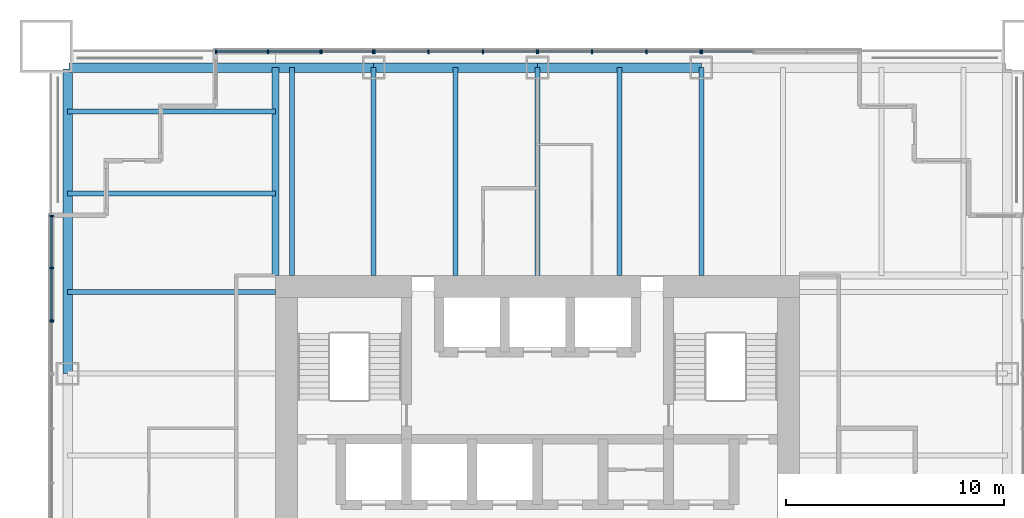
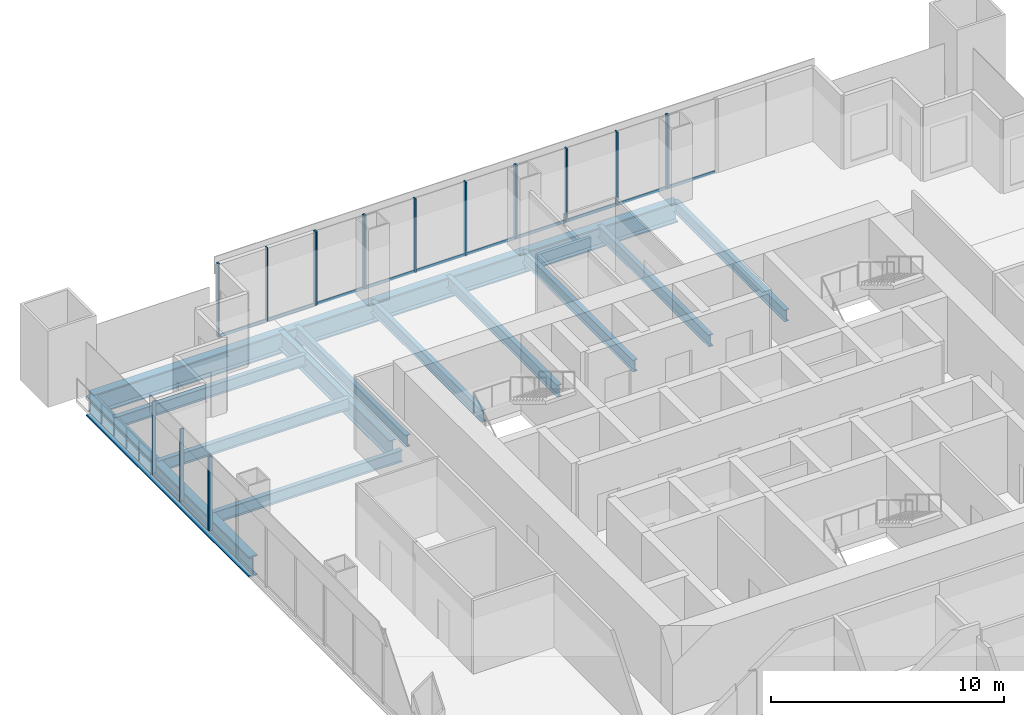
# One storey, part 5 of 13: 30 members, 14 beams, 7 elements without a shape of their own.
"""IFC4 building model written with IfcOpenShell, lengths in metres."""

from ifc_helpers import new_model, si_unit, direction, frame, origin, origin_2d, place, context, subcontext, project, spatial, rectangle, i_section, extrude, material, material_profile, profile_set, type_object, element, aggregate, save


model = new_model("IFC4")

# Units and contexts
model_context = context("Model", 3, precision=1e-05, world=origin(), true_north=direction((0.0, 1.0)))
body_context = subcontext(model_context, "Body", "Model", "MODEL_VIEW")
ifc_project = project(units=[si_unit("LENGTHUNIT", "METRE"), si_unit("AREAUNIT", "SQUARE_METRE"), si_unit("VOLUMEUNIT", "CUBIC_METRE"), si_unit("PLANEANGLEUNIT", "RADIAN"), si_unit("MASSUNIT", "GRAM", prefix="KILO")], contexts=[model_context])

# Site, building, storey
site_placement = place(None, origin())
site = spatial("IfcSite", under=ifc_project, at=site_placement, CompositionType="ELEMENT")
building_placement = place(site_placement, origin())
building = spatial("IfcBuilding", under=site, at=building_placement, Name="Tarangal Relay Tower", CompositionType="ELEMENT")
storey_placement = place(building_placement, frame((0.0, 0.0, 221.89990234375)))
storey = spatial("IfcBuildingStorey", under=building, at=storey_placement, Name="L47", CompositionType="ELEMENT", Elevation=221.89990234375)

# Beams
ifc_material_1 = material(Name="Steel ASTM A992", Category="steel")
ifc_material_profile_1 = material_profile(ifc_material_1, i_section(OverallWidth=0.227783203125, OverallDepth=0.60205078125, WebThickness=0.010498046875, FlangeThickness=0.014892578125, at=origin_2d()), Name="W24X68")
ifc_profile_set_1 = profile_set([ifc_material_profile_1], Name="Steel ASTM A992")
beam_type_1 = type_object("IfcBeamType", Name="Corner beam W24X68", PredefinedType="JOIST", material=ifc_profile_set_1)
for number, where, z_axis, x_axis, name in (
    (1, (-12.0, 15.75, -0.450927734375), (-1.0, 0.0, 0.0), (0.0, -1.0, 0.0), "Corner beam CB11 W L47"),
    (2, (-12.0, 19.5, -0.450927734375), (-1.0, 0.0, 0.0), (0.0, -1.0, 0.0), "Corner beam CB11 W L47"),
):
    element("IfcBeam", number, at=place(storey_placement, frame(where, z_axis=z_axis, x_axis=x_axis)), inside=storey, type_object=beam_type_1, Name=name, PredefinedType="JOIST", context=body_context, shape_type="SweptSolid", body=[
        extrude(i_section(OverallWidth=0.227783203125, OverallDepth=0.60205078125, WebThickness=0.010498046875, FlangeThickness=0.014892578125, at=origin_2d()), origin(), (0.0, 0.0, 1.0), 9.514892578125),
    ])
ifc_material_profile_2 = material_profile(ifc_material_1, i_section(OverallWidth=0.307373046875, OverallDepth=0.9423828125, WebThickness=0.022216796875, FlangeThickness=0.039794921875, at=origin_2d()), Name="W36X232")
ifc_profile_set_2 = profile_set([ifc_material_profile_2], Name="Steel ASTM A992")
beam_type_2 = type_object("IfcBeamType", Name="Corner girder W36X232", PredefinedType="BEAM", material=ifc_profile_set_2)
beam_1_placement = place(storey_placement, frame((-12.0, 12.0, -0.62109375), z_axis=(0.0, 1.0, 0.0), x_axis=(-1.0, 0.0, 0.0)))
element("IfcBeam", 3, at=beam_1_placement, inside=storey, type_object=beam_type_2, Name="Corner girder CG4 W L47", PredefinedType="BEAM", context=body_context, shape_type="SweptSolid", body=[
    extrude(i_section(OverallWidth=0.307373046875, OverallDepth=0.9423828125, WebThickness=0.022216796875, FlangeThickness=0.039794921875, at=origin_2d()), origin(), (0.0, 0.0, 1.0), 9.514892578125),
])
ifc_material_profile_3 = material_profile(ifc_material_1, i_section(OverallWidth=0.41650390625, OverallDepth=1.0693359375, WebThickness=0.0390625, FlangeThickness=0.070068359375, at=origin_2d()), Name="W40X503")
ifc_profile_set_3 = profile_set([ifc_material_profile_3], Name="Steel ASTM A992")
beam_type_3 = type_object("IfcBeamType", Name="Edge girder W40X503", PredefinedType="SPANDREL", material=ifc_profile_set_3)
beam_2_placement = place(storey_placement, frame((-21.449951171875, 21.514892578125, -0.6845703125), z_axis=(1.0, 0.0, 0.0), x_axis=(0.0, 1.0, 0.0)))
element("IfcBeam", 4, at=beam_2_placement, inside=storey, type_object=beam_type_3, Name="Edge girder EG8 N L47", PredefinedType="SPANDREL", context=body_context, shape_type="SweptSolid", body=[
    extrude(i_section(OverallWidth=0.41650390625, OverallDepth=1.0693359375, WebThickness=0.0390625, FlangeThickness=0.070068359375, at=origin_2d()), origin(), (0.0, 0.0, 1.0), 13.949951171875),
])
for number, where, z_axis, x_axis, name in (
    (5, (-7.5, 21.514892578125, -0.6845703125), (1.0, 0.0, 0.0), (0.0, 1.0, 0.0), "Edge girder EG8 N L47"),
    (6, (0.0, 21.514892578125, -0.6845703125), (1.0, 0.0, 0.0), (0.0, 1.0, 0.0), "Edge girder EG8 N L47"),
):
    element("IfcBeam", number, at=place(storey_placement, frame(where, z_axis=z_axis, x_axis=x_axis)), inside=storey, type_object=beam_type_3, Name=name, PredefinedType="SPANDREL", context=body_context, shape_type="SweptSolid", body=[
        extrude(i_section(OverallWidth=0.41650390625, OverallDepth=1.0693359375, WebThickness=0.0390625, FlangeThickness=0.070068359375, at=origin_2d()), origin(), (0.0, 0.0, 1.0), 7.5),
    ])
beam_3_placement = place(storey_placement, frame((-21.514892578125, 7.5, -0.6845703125), z_axis=(0.0, 1.0, 0.0), x_axis=(-1.0, 0.0, 0.0)))
element("IfcBeam", 7, at=beam_3_placement, inside=storey, type_object=beam_type_3, Name="Edge girder EG8 W L47", PredefinedType="SPANDREL", context=body_context, shape_type="SweptSolid", body=[
    extrude(i_section(OverallWidth=0.41650390625, OverallDepth=1.0693359375, WebThickness=0.0390625, FlangeThickness=0.070068359375, at=origin_2d()), origin(), (0.0, 0.0, 1.0), 13.949951171875),
])
ifc_material_profile_4 = material_profile(ifc_material_1, i_section(OverallWidth=0.22900390625, OverallDepth=0.612060546875, WebThickness=0.011962890625, FlangeThickness=0.01953125, at=origin_2d()), Name="W24X84")
ifc_profile_set_4 = profile_set([ifc_material_profile_4], Name="Steel ASTM A992")
beam_type_4 = type_object("IfcBeamType", Name="Floor beam W24X84", PredefinedType="BEAM", material=ifc_profile_set_4)
for number, where, z_axis, x_axis, name in (
    (8, (-11.25, 12.0, -0.455810546875), (0.0, 1.0, 0.0), (-1.0, 0.0, 0.0), "Floor beam RB12 N L47"),
    (9, (-7.5, 12.0, -0.455810546875), (0.0, 1.0, 0.0), (-1.0, 0.0, 0.0), "Floor beam RB12 N L47"),
    (10, (-3.75, 12.0, -0.455810546875), (0.0, 1.0, 0.0), (-1.0, 0.0, 0.0), "Floor beam RB12 N L47"),
    (11, (0.0, 12.0, -0.455810546875), (0.0, 1.0, 0.0), (-1.0, 0.0, 0.0), "Floor beam RB12 N L47"),
    (12, (3.75, 12.0, -0.455810546875), (0.0, 1.0, 0.0), (-1.0, 0.0, 0.0), "Floor beam RB12 N L47"),
    (13, (7.5, 12.0, -0.455810546875), (0.0, 1.0, 0.0), (-1.0, 0.0, 0.0), "Floor beam RB12 N L47"),
    (14, (-12.0, 11.25, -0.455810546875), (-1.0, 0.0, 0.0), (0.0, -1.0, 0.0), "Floor beam RB12 W L47"),
):
    element("IfcBeam", number, at=place(storey_placement, frame(where, z_axis=z_axis, x_axis=x_axis)), inside=storey, type_object=beam_type_4, Name=name, PredefinedType="BEAM", context=body_context, shape_type="SweptSolid", body=[
        extrude(i_section(OverallWidth=0.22900390625, OverallDepth=0.612060546875, WebThickness=0.011962890625, FlangeThickness=0.01953125, at=origin_2d()), origin(), (0.0, 0.0, 1.0), 9.514892578125),
    ])

# Curtain wall, members
ifc_material_2 = material(Name="Unitised curtain wall, dark glass and black aluminium", Category="aluminium")
curtain_wall_type_1 = type_object("IfcCurtainWallType", Name="Curtain wall CW-A", PredefinedType="USERDEFINED", material=ifc_material_2)
curtain_wall_1_placement = place(storey_placement, origin())
curtain_wall_1 = element("IfcCurtainWall", 15, at=curtain_wall_1_placement, inside=storey, type_object=curtain_wall_type_1, Name="Curtain wall CW-A N facade L47", ObjectType="UNITISED CURTAIN WALL", PredefinedType="USERDEFINED")
ifc_material_3 = material(Name="Black anodised aluminium mullion", Category="aluminium")
ifc_material_profile_5 = material_profile(ifc_material_3, rectangle(XDim=0.175048828125, YDim=0.06494140625, at=origin_2d()), Name="CW-AM 65X175")
ifc_profile_set_5 = profile_set([ifc_material_profile_5], Name="Black anodised aluminium mullion")
member_type_1 = type_object("IfcMemberType", Name="Mullion CW-A 65 x 175", PredefinedType="MULLION", material=ifc_profile_set_5)
member_1_placement = place(storey_placement, frame((-9.88427734375, 22.25, 0.0), z_axis=(0.0, 0.0, 1.0), x_axis=(0.0, 1.0, 0.0)))
member_1 = element("IfcMember", 16, at=member_1_placement, type_object=member_type_1, Name="CW-A mullion 1", PredefinedType="MULLION", context=body_context, shape_type="SweptSolid", body=[
    extrude(rectangle(XDim=0.175048828125, YDim=0.06494140625, at=origin_2d()), origin(), (0.0, 0.0, 1.0), 3.85009765625),
])
member_2_placement = place(storey_placement, frame((-7.532470703125, 22.25, 0.0), z_axis=(0.0, 0.0, 1.0), x_axis=(0.0, 1.0, 0.0)))
member_2 = element("IfcMember", 17, at=member_2_placement, type_object=member_type_1, Name="CW-A mullion 2", PredefinedType="MULLION", context=body_context, shape_type="SweptSolid", body=[
    extrude(rectangle(XDim=0.175048828125, YDim=0.06494140625, at=origin_2d()), origin(), (0.0, 0.0, 1.0), 3.85009765625),
])

curtain_wall_2_placement = place(storey_placement, origin())
curtain_wall_2 = element("IfcCurtainWall", 18, at=curtain_wall_2_placement, inside=storey, type_object=curtain_wall_type_1, Name="Curtain wall CW-A N facade L47", ObjectType="UNITISED CURTAIN WALL", PredefinedType="USERDEFINED")
member_3_placement = place(storey_placement, frame((-7.467529296875, 22.25, 0.0), z_axis=(0.0, 0.0, 1.0), x_axis=(0.0, 1.0, 0.0)))
member_3 = element("IfcMember", 19, at=member_3_placement, type_object=member_type_1, Name="CW-A mullion 1", PredefinedType="MULLION", context=body_context, shape_type="SweptSolid", body=[
    extrude(rectangle(XDim=0.175048828125, YDim=0.06494140625, at=origin_2d()), origin(), (0.0, 0.0, 1.0), 3.85009765625),
])
member_4_placement = place(storey_placement, frame((-5.0, 22.25, 0.0), z_axis=(0.0, 0.0, 1.0), x_axis=(0.0, 1.0, 0.0)))
member_4 = element("IfcMember", 20, at=member_4_placement, type_object=member_type_1, Name="CW-A mullion 2", PredefinedType="MULLION", context=body_context, shape_type="SweptSolid", body=[
    extrude(rectangle(XDim=0.175048828125, YDim=0.06494140625, at=origin_2d()), origin(), (0.0, 0.0, 1.0), 3.85009765625),
])
member_5_placement = place(storey_placement, frame((-2.5, 22.25, 0.0), z_axis=(0.0, 0.0, 1.0), x_axis=(0.0, 1.0, 0.0)))
member_5 = element("IfcMember", 21, at=member_5_placement, type_object=member_type_1, Name="CW-A mullion 3", PredefinedType="MULLION", context=body_context, shape_type="SweptSolid", body=[
    extrude(rectangle(XDim=0.175048828125, YDim=0.06494140625, at=origin_2d()), origin(), (0.0, 0.0, 1.0), 3.85009765625),
])
member_6_placement = place(storey_placement, frame((-0.032470703125, 22.25, 0.0), z_axis=(0.0, 0.0, 1.0), x_axis=(0.0, 1.0, 0.0)))
member_6 = element("IfcMember", 22, at=member_6_placement, type_object=member_type_1, Name="CW-A mullion 4", PredefinedType="MULLION", context=body_context, shape_type="SweptSolid", body=[
    extrude(rectangle(XDim=0.175048828125, YDim=0.06494140625, at=origin_2d()), origin(), (0.0, 0.0, 1.0), 3.85009765625),
])

curtain_wall_3_placement = place(storey_placement, origin())
curtain_wall_3 = element("IfcCurtainWall", 23, at=curtain_wall_3_placement, inside=storey, type_object=curtain_wall_type_1, Name="Curtain wall CW-A N facade L47", ObjectType="UNITISED CURTAIN WALL", PredefinedType="USERDEFINED")
member_7_placement = place(storey_placement, frame((0.032470703125, 22.25, 0.0), z_axis=(0.0, 0.0, 1.0), x_axis=(0.0, 1.0, 0.0)))
member_7 = element("IfcMember", 24, at=member_7_placement, type_object=member_type_1, Name="CW-A mullion 1", PredefinedType="MULLION", context=body_context, shape_type="SweptSolid", body=[
    extrude(rectangle(XDim=0.175048828125, YDim=0.06494140625, at=origin_2d()), origin(), (0.0, 0.0, 1.0), 3.85009765625),
])
member_8_placement = place(storey_placement, frame((2.5, 22.25, 0.0), z_axis=(0.0, 0.0, 1.0), x_axis=(0.0, 1.0, 0.0)))
member_8 = element("IfcMember", 25, at=member_8_placement, type_object=member_type_1, Name="CW-A mullion 2", PredefinedType="MULLION", context=body_context, shape_type="SweptSolid", body=[
    extrude(rectangle(XDim=0.175048828125, YDim=0.06494140625, at=origin_2d()), origin(), (0.0, 0.0, 1.0), 3.85009765625),
])
member_9_placement = place(storey_placement, frame((5.0, 22.25, 0.0), z_axis=(0.0, 0.0, 1.0), x_axis=(0.0, 1.0, 0.0)))
member_9 = element("IfcMember", 26, at=member_9_placement, type_object=member_type_1, Name="CW-A mullion 3", PredefinedType="MULLION", context=body_context, shape_type="SweptSolid", body=[
    extrude(rectangle(XDim=0.175048828125, YDim=0.06494140625, at=origin_2d()), origin(), (0.0, 0.0, 1.0), 3.85009765625),
])
member_10_placement = place(storey_placement, frame((7.467529296875, 22.25, 0.0), z_axis=(0.0, 0.0, 1.0), x_axis=(0.0, 1.0, 0.0)))
member_10 = element("IfcMember", 27, at=member_10_placement, type_object=member_type_1, Name="CW-A mullion 4", PredefinedType="MULLION", context=body_context, shape_type="SweptSolid", body=[
    extrude(rectangle(XDim=0.175048828125, YDim=0.06494140625, at=origin_2d()), origin(), (0.0, 0.0, 1.0), 3.85009765625),
])

# Curtain wall, member
curtain_wall_4_placement = place(storey_placement, origin())
curtain_wall_4 = element("IfcCurtainWall", 28, at=curtain_wall_4_placement, inside=storey, type_object=curtain_wall_type_1, Name="Curtain wall CW-A N facade L47", ObjectType="UNITISED CURTAIN WALL", PredefinedType="USERDEFINED")
member_11_placement = place(storey_placement, frame((7.532470703125, 22.25, 0.0), z_axis=(0.0, 0.0, 1.0), x_axis=(0.0, 1.0, 0.0)))
member_11 = element("IfcMember", 29, at=member_11_placement, type_object=member_type_1, Name="CW-A mullion 1", PredefinedType="MULLION", context=body_context, shape_type="SweptSolid", body=[
    extrude(rectangle(XDim=0.175048828125, YDim=0.06494140625, at=origin_2d()), origin(), (0.0, 0.0, 1.0), 3.85009765625),
])

curtain_wall_5_placement = place(storey_placement, origin())
curtain_wall_5 = element("IfcCurtainWall", 30, at=curtain_wall_5_placement, inside=storey, type_object=curtain_wall_type_1, Name="Curtain wall CW-A W facade L47", ObjectType="UNITISED CURTAIN WALL", PredefinedType="USERDEFINED")
member_12_placement = place(storey_placement, frame((-22.25, 9.88427734375, 0.0), z_axis=(0.0, 0.0, 1.0), x_axis=(-1.0, 0.0, 0.0)))
member_12 = element("IfcMember", 31, at=member_12_placement, type_object=member_type_1, Name="CW-A mullion 2", PredefinedType="MULLION", context=body_context, shape_type="SweptSolid", body=[
    extrude(rectangle(XDim=0.175048828125, YDim=0.06494140625, at=origin_2d()), origin(), (0.0, 0.0, 1.0), 3.85009765625),
])
aggregate(curtain_wall_5, [member_12])

# Curtain wall, members
ifc_material_4 = material(Name="Unitised curtain wall frame, black aluminium, with metal clad infill walls", Category="aluminium")
curtain_wall_type_2 = type_object("IfcCurtainWallType", Name="Curtain wall CW-AO", PredefinedType="USERDEFINED", material=ifc_material_4)
curtain_wall_6_placement = place(storey_placement, origin())
curtain_wall_6 = element("IfcCurtainWall", 32, at=curtain_wall_6_placement, inside=storey, type_object=curtain_wall_type_2, Name="Curtain wall CW-AO N facade L47", ObjectType="UNITISED CURTAIN WALL", PredefinedType="USERDEFINED")
ifc_material_profile_6 = material_profile(ifc_material_3, rectangle(XDim=0.175048828125, YDim=0.06494140625, at=origin_2d()), Name="CW-AOM 65X175")
ifc_profile_set_6 = profile_set([ifc_material_profile_6], Name="Black anodised aluminium mullion")
member_type_2 = type_object("IfcMemberType", Name="Mullion CW-AO 65 x 175", PredefinedType="MULLION", material=ifc_profile_set_6)
member_13_placement = place(storey_placement, frame((-14.717529296875, 22.25, 0.0), z_axis=(0.0, 0.0, 1.0), x_axis=(0.0, 1.0, 0.0)))
member_13 = element("IfcMember", 33, at=member_13_placement, type_object=member_type_2, Name="CW-AO mullion 1", PredefinedType="MULLION", context=body_context, shape_type="SweptSolid", body=[
    extrude(rectangle(XDim=0.175048828125, YDim=0.06494140625, at=origin_2d()), origin(), (0.0, 0.0, 1.0), 3.85009765625),
])
member_14_placement = place(storey_placement, frame((-12.333251953125, 22.25, 0.0), z_axis=(0.0, 0.0, 1.0), x_axis=(0.0, 1.0, 0.0)))
member_14 = element("IfcMember", 34, at=member_14_placement, type_object=member_type_2, Name="CW-AO mullion 2", PredefinedType="MULLION", context=body_context, shape_type="SweptSolid", body=[
    extrude(rectangle(XDim=0.175048828125, YDim=0.06494140625, at=origin_2d()), origin(), (0.0, 0.0, 1.0), 3.85009765625),
])
member_15_placement = place(storey_placement, frame((-9.94921875, 22.25, 0.0), z_axis=(0.0, 0.0, 1.0), x_axis=(0.0, 1.0, 0.0)))
member_15 = element("IfcMember", 35, at=member_15_placement, type_object=member_type_2, Name="CW-AO mullion 3", PredefinedType="MULLION", context=body_context, shape_type="SweptSolid", body=[
    extrude(rectangle(XDim=0.175048828125, YDim=0.06494140625, at=origin_2d()), origin(), (0.0, 0.0, 1.0), 3.85009765625),
])

curtain_wall_7_placement = place(storey_placement, origin())
curtain_wall_7 = element("IfcCurtainWall", 36, at=curtain_wall_7_placement, inside=storey, type_object=curtain_wall_type_2, Name="Curtain wall CW-AO W facade L47", ObjectType="UNITISED CURTAIN WALL", PredefinedType="USERDEFINED")
member_16_placement = place(storey_placement, frame((-22.25, 9.94921875, 0.0), z_axis=(0.0, 0.0, 1.0), x_axis=(-1.0, 0.0, 0.0)))
member_16 = element("IfcMember", 37, at=member_16_placement, type_object=member_type_2, Name="CW-AO mullion 1", PredefinedType="MULLION", context=body_context, shape_type="SweptSolid", body=[
    extrude(rectangle(XDim=0.175048828125, YDim=0.06494140625, at=origin_2d()), origin(), (0.0, 0.0, 1.0), 3.85009765625),
])
member_17_placement = place(storey_placement, frame((-22.25, 12.333251953125, 0.0), z_axis=(0.0, 0.0, 1.0), x_axis=(-1.0, 0.0, 0.0)))
member_17 = element("IfcMember", 38, at=member_17_placement, type_object=member_type_2, Name="CW-AO mullion 2", PredefinedType="MULLION", context=body_context, shape_type="SweptSolid", body=[
    extrude(rectangle(XDim=0.175048828125, YDim=0.06494140625, at=origin_2d()), origin(), (0.0, 0.0, 1.0), 3.85009765625),
])
member_18_placement = place(storey_placement, frame((-22.25, 14.717529296875, 0.0), z_axis=(0.0, 0.0, 1.0), x_axis=(-1.0, 0.0, 0.0)))
member_18 = element("IfcMember", 39, at=member_18_placement, type_object=member_type_2, Name="CW-AO mullion 3", PredefinedType="MULLION", context=body_context, shape_type="SweptSolid", body=[
    extrude(rectangle(XDim=0.175048828125, YDim=0.06494140625, at=origin_2d()), origin(), (0.0, 0.0, 1.0), 3.85009765625),
])

# Member
ifc_material_5 = material(Name="Black anodised aluminium transom", Category="aluminium")
ifc_material_profile_7 = material_profile(ifc_material_5, rectangle(XDim=0.06494140625, YDim=0.14990234375, at=origin_2d()), Name="CW-AT 65X150")
ifc_profile_set_7 = profile_set([ifc_material_profile_7], Name="Black anodised aluminium transom")
member_type_3 = type_object("IfcMemberType", Name="Transom CW-A 65 x 150", PredefinedType="USERDEFINED", material=ifc_profile_set_7)
member_19_placement = place(storey_placement, frame((-9.851806640625, 22.25, 0.03271484375), z_axis=(1.0, 0.0, 0.0), x_axis=(0.0, 1.0, 0.0)))
member_19 = element("IfcMember", 40, at=member_19_placement, type_object=member_type_3, Name="CW-A transom 1.1", ObjectType="TRANSOM", PredefinedType="USERDEFINED", context=body_context, shape_type="SweptSolid", body=[
    extrude(rectangle(XDim=0.06494140625, YDim=0.14990234375, at=origin_2d()), origin(), (0.0, 0.0, 1.0), 2.286865234375),
])

aggregate(curtain_wall_1, [member_1, member_2, member_19])

member_20_placement = place(storey_placement, frame((-7.43505859375, 22.25, 0.03271484375), z_axis=(1.0, 0.0, 0.0), x_axis=(0.0, 1.0, 0.0)))
member_20 = element("IfcMember", 41, at=member_20_placement, type_object=member_type_3, Name="CW-A transom 1.1", ObjectType="TRANSOM", PredefinedType="USERDEFINED", context=body_context, shape_type="SweptSolid", body=[
    extrude(rectangle(XDim=0.06494140625, YDim=0.14990234375, at=origin_2d()), origin(), (0.0, 0.0, 1.0), 2.402587890625),
])

member_21_placement = place(storey_placement, frame((-4.967529296875, 22.25, 0.03271484375), z_axis=(1.0, 0.0, 0.0), x_axis=(0.0, 1.0, 0.0)))
member_21 = element("IfcMember", 42, at=member_21_placement, type_object=member_type_3, Name="CW-A transom 2.1", ObjectType="TRANSOM", PredefinedType="USERDEFINED", context=body_context, shape_type="SweptSolid", body=[
    extrude(rectangle(XDim=0.06494140625, YDim=0.14990234375, at=origin_2d()), origin(), (0.0, 0.0, 1.0), 2.43505859375),
])

member_22_placement = place(storey_placement, frame((-2.467529296875, 22.25, 0.03271484375), z_axis=(1.0, 0.0, 0.0), x_axis=(0.0, 1.0, 0.0)))
member_22 = element("IfcMember", 43, at=member_22_placement, type_object=member_type_3, Name="CW-A transom 3.1", ObjectType="TRANSOM", PredefinedType="USERDEFINED", context=body_context, shape_type="SweptSolid", body=[
    extrude(rectangle(XDim=0.06494140625, YDim=0.14990234375, at=origin_2d()), origin(), (0.0, 0.0, 1.0), 2.402587890625),
])

aggregate(curtain_wall_2, [member_3, member_4, member_5, member_6, member_20, member_21, member_22])

member_23_placement = place(storey_placement, frame((0.06494140625, 22.25, 0.03271484375), z_axis=(1.0, 0.0, 0.0), x_axis=(0.0, 1.0, 0.0)))
member_23 = element("IfcMember", 44, at=member_23_placement, type_object=member_type_3, Name="CW-A transom 1.1", ObjectType="TRANSOM", PredefinedType="USERDEFINED", context=body_context, shape_type="SweptSolid", body=[
    extrude(rectangle(XDim=0.06494140625, YDim=0.14990234375, at=origin_2d()), origin(), (0.0, 0.0, 1.0), 2.402587890625),
])

member_24_placement = place(storey_placement, frame((2.532470703125, 22.25, 0.03271484375), z_axis=(1.0, 0.0, 0.0), x_axis=(0.0, 1.0, 0.0)))
member_24 = element("IfcMember", 45, at=member_24_placement, type_object=member_type_3, Name="CW-A transom 2.1", ObjectType="TRANSOM", PredefinedType="USERDEFINED", context=body_context, shape_type="SweptSolid", body=[
    extrude(rectangle(XDim=0.06494140625, YDim=0.14990234375, at=origin_2d()), origin(), (0.0, 0.0, 1.0), 2.43505859375),
])

member_25_placement = place(storey_placement, frame((5.032470703125, 22.25, 0.03271484375), z_axis=(1.0, 0.0, 0.0), x_axis=(0.0, 1.0, 0.0)))
member_25 = element("IfcMember", 46, at=member_25_placement, type_object=member_type_3, Name="CW-A transom 3.1", ObjectType="TRANSOM", PredefinedType="USERDEFINED", context=body_context, shape_type="SweptSolid", body=[
    extrude(rectangle(XDim=0.06494140625, YDim=0.14990234375, at=origin_2d()), origin(), (0.0, 0.0, 1.0), 2.402587890625),
])

aggregate(curtain_wall_3, [member_7, member_8, member_9, member_10, member_23, member_24, member_25])

member_26_placement = place(storey_placement, frame((7.56494140625, 22.25, 0.03271484375), z_axis=(1.0, 0.0, 0.0), x_axis=(0.0, 1.0, 0.0)))
member_26 = element("IfcMember", 47, at=member_26_placement, type_object=member_type_3, Name="CW-A transom 1.1", ObjectType="TRANSOM", PredefinedType="USERDEFINED", context=body_context, shape_type="SweptSolid", body=[
    extrude(rectangle(XDim=0.06494140625, YDim=0.14990234375, at=origin_2d()), origin(), (0.0, 0.0, 1.0), 2.286865234375),
])

aggregate(curtain_wall_4, [member_11, member_26])

ifc_material_profile_8 = material_profile(ifc_material_5, rectangle(XDim=0.06494140625, YDim=0.14990234375, at=origin_2d()), Name="CW-AOT 65X150")
ifc_profile_set_8 = profile_set([ifc_material_profile_8], Name="Black anodised aluminium transom")
member_type_4 = type_object("IfcMemberType", Name="Transom CW-AO 65 x 150", PredefinedType="USERDEFINED", material=ifc_profile_set_8)
member_27_placement = place(storey_placement, frame((-14.68505859375, 22.25, 0.03271484375), z_axis=(1.0, 0.0, 0.0), x_axis=(0.0, 1.0, 0.0)))
member_27 = element("IfcMember", 48, at=member_27_placement, type_object=member_type_4, Name="CW-AO transom 1.1", ObjectType="TRANSOM", PredefinedType="USERDEFINED", context=body_context, shape_type="SweptSolid", body=[
    extrude(rectangle(XDim=0.06494140625, YDim=0.14990234375, at=origin_2d()), origin(), (0.0, 0.0, 1.0), 2.319091796875),
])

member_28_placement = place(storey_placement, frame((-12.30078125, 22.25, 0.03271484375), z_axis=(1.0, 0.0, 0.0), x_axis=(0.0, 1.0, 0.0)))
member_28 = element("IfcMember", 49, at=member_28_placement, type_object=member_type_4, Name="CW-AO transom 2.1", ObjectType="TRANSOM", PredefinedType="USERDEFINED", context=body_context, shape_type="SweptSolid", body=[
    extrude(rectangle(XDim=0.06494140625, YDim=0.14990234375, at=origin_2d()), origin(), (0.0, 0.0, 1.0), 2.319091796875),
])

aggregate(curtain_wall_6, [member_13, member_14, member_15, member_27, member_28])

member_29_placement = place(storey_placement, frame((-22.25, 9.981689453125, 0.03271484375), z_axis=(0.0, 1.0, 0.0), x_axis=(-1.0, 0.0, 0.0)))
member_29 = element("IfcMember", 50, at=member_29_placement, type_object=member_type_4, Name="CW-AO transom 1.1", ObjectType="TRANSOM", PredefinedType="USERDEFINED", context=body_context, shape_type="SweptSolid", body=[
    extrude(rectangle(XDim=0.06494140625, YDim=0.14990234375, at=origin_2d()), origin(), (0.0, 0.0, 1.0), 2.319091796875),
])

member_30_placement = place(storey_placement, frame((-22.25, 12.365966796875, 0.03271484375), z_axis=(0.0, 1.0, 0.0), x_axis=(-1.0, 0.0, 0.0)))
member_30 = element("IfcMember", 51, at=member_30_placement, type_object=member_type_4, Name="CW-AO transom 2.1", ObjectType="TRANSOM", PredefinedType="USERDEFINED", context=body_context, shape_type="SweptSolid", body=[
    extrude(rectangle(XDim=0.06494140625, YDim=0.14990234375, at=origin_2d()), origin(), (0.0, 0.0, 1.0), 2.319091796875),
])

aggregate(curtain_wall_7, [member_16, member_17, member_18, member_29, member_30])

save(model, "model.ifc")
